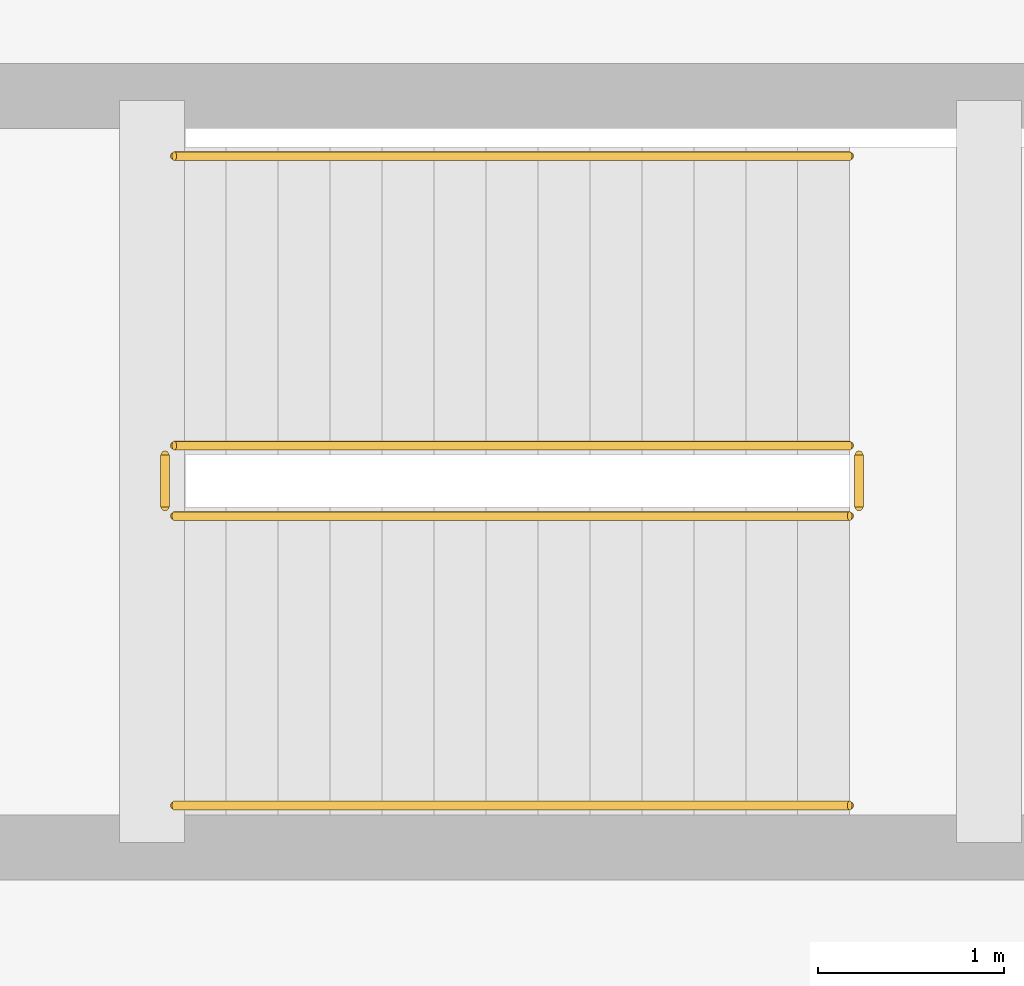
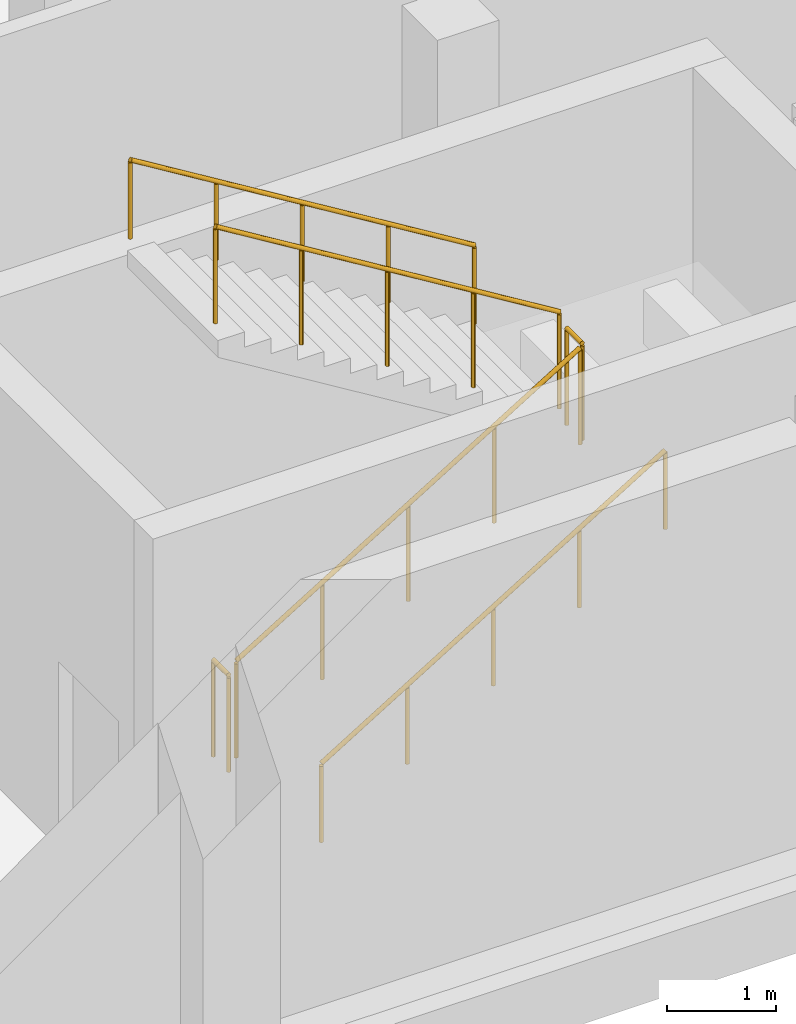
# One storey, part 26 of 31: 6 railings.
"""IFC4 building model written with IfcOpenShell, lengths in metres."""

from ifc_helpers import new_model, si_unit, direction, frame, origin, origin_2d, place, context, subcontext, project, spatial, circle, extrude, material, type_object, element, save


model = new_model("IFC4")

# Units and contexts
model_context = context("Model", 3, precision=1e-05, world=origin(), true_north=direction((0.0, 1.0)))
body_context = subcontext(model_context, "Body", "Model", "MODEL_VIEW")
ifc_project = project(units=[si_unit("LENGTHUNIT", "METRE"), si_unit("AREAUNIT", "SQUARE_METRE"), si_unit("VOLUMEUNIT", "CUBIC_METRE"), si_unit("PLANEANGLEUNIT", "RADIAN"), si_unit("MASSUNIT", "GRAM", prefix="KILO")], contexts=[model_context])

# Site, building, storey
site_placement = place(None, origin())
site = spatial("IfcSite", under=ifc_project, at=site_placement, CompositionType="ELEMENT")
building_placement = place(site_placement, origin())
building = spatial("IfcBuilding", under=site, at=building_placement, Name="Kelarvand Opera House", CompositionType="ELEMENT")
storey_placement = place(building_placement, frame((0.0, 0.0, -4.800048828125)))
storey = spatial("IfcBuildingStorey", under=building, at=storey_placement, Name="B1", CompositionType="ELEMENT", Elevation=-4.800048828125)

# Railings
ifc_material_1 = material(Name="Brushed bronze tubular rail")
railing_type_1 = type_object("IfcRailingType", Name="Brushed Bronze Stair Wall Handrail 900", PredefinedType="HANDRAIL", material=ifc_material_1)
railing_1_placement = place(storey_placement, frame((117.659912109375, 11.050048828125, 0.17138671875)))
element("IfcRailing", 1, at=railing_1_placement, inside=storey, type_object=railing_type_1, Name="B1 ST-08 stair handrail 1", PredefinedType="HANDRAIL", context=body_context, shape_type="SweptSolid", body=[
    extrude(circle(Radius=0.02392578125, at=origin_2d()), frame((0.0, 0.0, 0.8759765625), z_axis=(0.852840387347, 0.0, 0.522171689878), x_axis=(0.0, 1.0, 0.0)), (0.0, 0.0, 1.0), 4.268310546875),
    extrude(circle(Radius=0.02099609375, at=origin_2d()), origin(), (0.0, 0.0, 1.0), 0.851806640625),
    extrude(circle(Radius=0.02099609375, at=origin_2d()), frame((0.91015625, 0.0, 0.55712890625)), (0.0, 0.0, 1.0), 0.851806640625),
    extrude(circle(Radius=0.02099609375, at=origin_2d()), frame((1.820068359375, 0.0, 1.1142578125)), (0.0, 0.0, 1.0), 0.851806640625),
    extrude(circle(Radius=0.02099609375, at=origin_2d()), frame((2.72998046875, 0.0, 1.671630859375)), (0.0, 0.0, 1.0), 0.851806640625),
    extrude(circle(Radius=0.02099609375, at=origin_2d()), frame((3.64013671875, 0.0, 2.228759765625)), (0.0, 0.0, 1.0), 0.851806640625),
])
railing_2_placement = place(storey_placement, frame((121.300048828125, 14.550048828125, 2.571533203125)))
element("IfcRailing", 2, at=railing_2_placement, inside=storey, type_object=railing_type_1, Name="B1 ST-08 stair handrail 2", PredefinedType="HANDRAIL", context=body_context, shape_type="SweptSolid", body=[
    extrude(circle(Radius=0.02392578125, at=origin_2d()), frame((0.0, 0.0, 0.8759765625), z_axis=(-0.852865859571, 0.0, 0.52213008492), x_axis=(0.0, -1.0, 0.0)), (0.0, 0.0, 1.0), 4.26806640625),
    extrude(circle(Radius=0.02099609375, at=origin_2d()), origin(), (0.0, 0.0, 1.0), 0.851806640625),
    extrude(circle(Radius=0.02099609375, at=origin_2d()), frame((-0.91015625, 0.0, 0.55712890625)), (0.0, 0.0, 1.0), 0.851806640625),
    extrude(circle(Radius=0.02099609375, at=origin_2d()), frame((-1.820068359375, 0.0, 1.1142578125)), (0.0, 0.0, 1.0), 0.851806640625),
    extrude(circle(Radius=0.02099609375, at=origin_2d()), frame((-2.72998046875, 0.0, 1.67138671875)), (0.0, 0.0, 1.0), 0.851806640625),
    extrude(circle(Radius=0.02099609375, at=origin_2d()), frame((-3.64013671875, 0.0, 2.228515625)), (0.0, 0.0, 1.0), 0.851806640625),
])
ifc_material_2 = material(Name="Powder-coated Steel S355", Category="steel")
railing_type_2 = type_object("IfcRailingType", Name="Painted Steel Stair and Void Guardrail 1100", PredefinedType="GUARDRAIL", material=ifc_material_2)
railing_3_placement = place(storey_placement, frame((117.659912109375, 12.610107421875, 0.17138671875)))
element("IfcRailing", 3, at=railing_3_placement, inside=storey, type_object=railing_type_2, Name="B1 ST-08 stair guard 1", PredefinedType="GUARDRAIL", context=body_context, shape_type="SweptSolid", body=[
    extrude(circle(Radius=0.02392578125, at=origin_2d()), frame((0.0, 0.0, 1.076171875), z_axis=(0.852840387347, 0.0, 0.522171689878), x_axis=(0.0, 1.0, 0.0)), (0.0, 0.0, 1.0), 4.268310546875),
    extrude(circle(Radius=0.02099609375, at=origin_2d()), origin(), (0.0, 0.0, 1.0), 1.052001953125),
    extrude(circle(Radius=0.02099609375, at=origin_2d()), frame((0.91015625, 0.0, 0.55712890625)), (0.0, 0.0, 1.0), 1.052001953125),
    extrude(circle(Radius=0.02099609375, at=origin_2d()), frame((1.820068359375, 0.0, 1.1142578125)), (0.0, 0.0, 1.0), 1.052001953125),
    extrude(circle(Radius=0.02099609375, at=origin_2d()), frame((2.72998046875, 0.0, 1.671630859375)), (0.0, 0.0, 1.0), 1.052001953125),
    extrude(circle(Radius=0.02099609375, at=origin_2d()), frame((3.64013671875, 0.0, 2.228759765625)), (0.0, 0.0, 1.0), 1.052001953125),
])
railing_4_placement = place(storey_placement, frame((121.35009765625, 12.659912109375, 2.400146484375)))
element("IfcRailing", 4, at=railing_4_placement, inside=storey, type_object=railing_type_2, Name="B1 ST-08 stair guard 2", PredefinedType="GUARDRAIL", context=body_context, shape_type="SweptSolid", body=[
    extrude(circle(Radius=0.02392578125, at=origin_2d()), frame((0.0, 0.0, 1.076171875), z_axis=(0.0, 1.0, 0.0), x_axis=(-1.0, 0.0, 0.0)), (0.0, 0.0, 1.0), 0.280029296875),
    extrude(circle(Radius=0.02099609375, at=origin_2d()), origin(), (0.0, 0.0, 1.0), 1.052001953125),
    extrude(circle(Radius=0.02099609375, at=origin_2d()), frame((0.0, 0.280029296875, 0.0)), (0.0, 0.0, 1.0), 1.052001953125),
])
railing_5_placement = place(storey_placement, frame((121.300048828125, 12.989990234375, 2.571533203125)))
element("IfcRailing", 5, at=railing_5_placement, inside=storey, type_object=railing_type_2, Name="B1 ST-08 stair guard 3", PredefinedType="GUARDRAIL", context=body_context, shape_type="SweptSolid", body=[
    extrude(circle(Radius=0.02392578125, at=origin_2d()), frame((0.0, 0.0, 1.076171875), z_axis=(-0.852865859571, 0.0, 0.52213008492), x_axis=(0.0, -1.0, 0.0)), (0.0, 0.0, 1.0), 4.26806640625),
    extrude(circle(Radius=0.02099609375, at=origin_2d()), origin(), (0.0, 0.0, 1.0), 1.052001953125),
    extrude(circle(Radius=0.02099609375, at=origin_2d()), frame((-0.91015625, 0.0, 0.55712890625)), (0.0, 0.0, 1.0), 1.052001953125),
    extrude(circle(Radius=0.02099609375, at=origin_2d()), frame((-1.820068359375, 0.0, 1.1142578125)), (0.0, 0.0, 1.0), 1.052001953125),
    extrude(circle(Radius=0.02099609375, at=origin_2d()), frame((-2.72998046875, 0.0, 1.67138671875)), (0.0, 0.0, 1.0), 1.052001953125),
    extrude(circle(Radius=0.02099609375, at=origin_2d()), frame((-3.64013671875, 0.0, 2.228515625)), (0.0, 0.0, 1.0), 1.052001953125),
])
railing_6_placement = place(storey_placement, frame((117.610107421875, 12.659912109375, 0.0)))
element("IfcRailing", 6, at=railing_6_placement, inside=storey, type_object=railing_type_2, Name="B1 ST-08 stair guard 4", PredefinedType="GUARDRAIL", context=body_context, shape_type="SweptSolid", body=[
    extrude(circle(Radius=0.02392578125, at=origin_2d()), frame((0.0, 0.0, 1.076171875), z_axis=(0.0, 1.0, 0.0), x_axis=(-1.0, 0.0, 0.0)), (0.0, 0.0, 1.0), 0.280029296875),
    extrude(circle(Radius=0.02099609375, at=origin_2d()), origin(), (0.0, 0.0, 1.0), 1.052001953125),
    extrude(circle(Radius=0.02099609375, at=origin_2d()), frame((0.0, 0.280029296875, 0.0)), (0.0, 0.0, 1.0), 1.052001953125),
])

save(model, "model.ifc")
